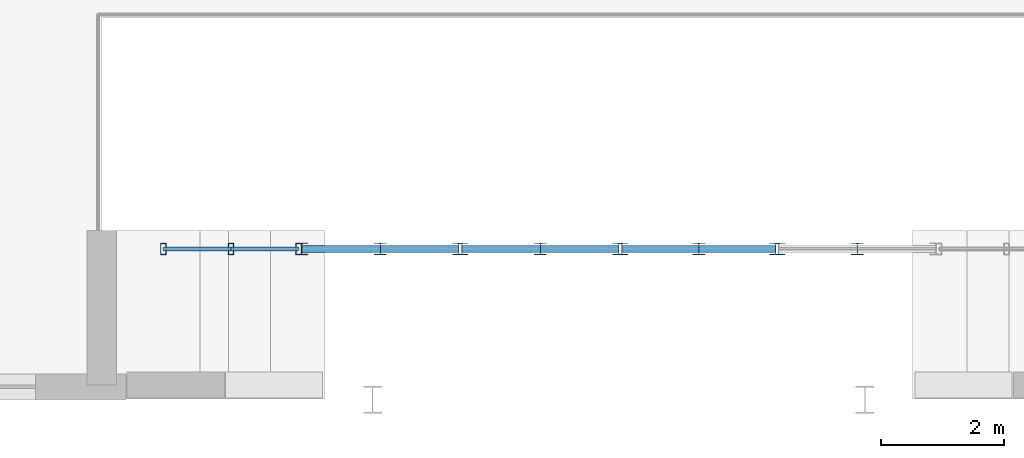
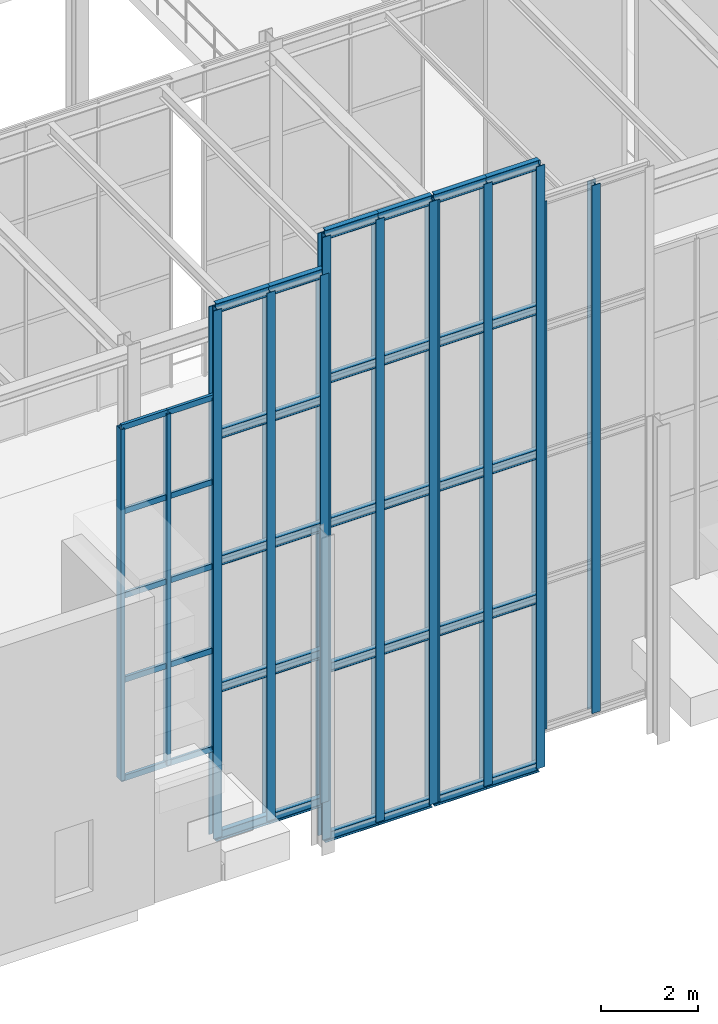
# One storey, part 65 of 138: 54 members, 5 elements without a shape of their own.
"""IFC4 building model written with IfcOpenShell, lengths in metres."""

import ifcopenshell
import ifcopenshell.guid

model = None  # the IFC model being written
_history = None  # IfcOwnerHistory: only IFC2X3 demands one
_inside = {}  # id of a spatial element -> (the spatial element, [elements in it])
_under = {}  # id of a project, library or spatial element -> (it, [spatial elements below it])
_declared = {}  # id of a project -> (the project, [libraries it declares])
_typed = {}  # id of a type object -> (the type object, [elements of that type])
_made_of = {}  # id of a material, layer set ... -> (it, [elements and type objects made of it])


def new_model(schema):
    """Start an empty IFC model of exactly this schema.

    Asked for "IFC4X3", IfcOpenShell would pick the latest addendum, in which some entities
    have other attributes; the version numbers below select the first issue.
    IFC2X3 requires an IfcOwnerHistory on every rooted entity: one is made here for all.
    """
    global model, _history
    if schema == "IFC4X3":
        model = ifcopenshell.file(schema_version=(4, 3, 0, 0))
    else:
        model = ifcopenshell.file(schema=schema)
    _inside.clear()
    _under.clear()
    _declared.clear()
    _typed.clear()
    _made_of.clear()
    _history = None
    if model.schema == "IFC2X3":
        org = make("IfcOrganization", Name="unknown")
        user = make(
            "IfcPersonAndOrganization",
            ThePerson=make("IfcPerson", FamilyName="unknown"),
            TheOrganization=org,
        )
        app = make(
            "IfcApplication",
            ApplicationDeveloper=org,
            Version="unknown",
            ApplicationFullName="unknown",
            ApplicationIdentifier="unknown",
        )
        _history = make(
            "IfcOwnerHistory",
            OwningUser=user,
            OwningApplication=app,
            ChangeAction="ADDED",
            CreationDate=0,
        )
    return model


def make(cls, **values):
    """One entity of the class cls with the attributes given. An attribute that is None is left unset."""
    return model.create_entity(
        cls, **{name: value for name, value in values.items() if value is not None}
    )


def rooted(cls, **values):
    """An entity with a GlobalId (a new one), such as an element, a storey or a relation."""
    return make(cls, GlobalId=ifcopenshell.guid.new(), OwnerHistory=_history, **values)


def si_unit(unit_type, name, prefix=None):
    """IfcSIUnit, for example si_unit("LENGTHUNIT", "METRE", prefix="MILLI")."""
    return make("IfcSIUnit", UnitType=unit_type, Prefix=prefix, Name=name)


def assignment(units):
    """IfcUnitAssignment: the units of a project."""
    return None if units is None else make("IfcUnitAssignment", Units=units)


def point(xyz):
    """IfcCartesianPoint."""
    return None if xyz is None else make("IfcCartesianPoint", Coordinates=xyz)


def direction(xyz):
    """IfcDirection."""
    return None if xyz is None else make("IfcDirection", DirectionRatios=xyz)


def frame(location, z_axis=None, x_axis=None):
    """IfcAxis2Placement3D, a coordinate frame: its origin and axes. An axis left out is left unset."""
    return make(
        "IfcAxis2Placement3D",
        Location=point(location),
        Axis=direction(z_axis),
        RefDirection=direction(x_axis),
    )


def frame_2d(location, x_axis=None):
    """IfcAxis2Placement2D, a coordinate frame in the plane: its origin and x axis."""
    return make(
        "IfcAxis2Placement2D", Location=point(location), RefDirection=direction(x_axis)
    )


def origin():
    """The frame at (0, 0, 0) with its axes left unset."""
    return frame((0.0, 0.0, 0.0))


def origin_2d():
    """The frame at (0, 0) in the plane with its x axis left unset."""
    return frame_2d((0.0, 0.0))


def place(relative_to, where):
    """IfcLocalPlacement: puts the frame where relative to a parent placement (None: the world)."""
    return make(
        "IfcLocalPlacement", PlacementRelTo=relative_to, RelativePlacement=where
    )


def context(
    kind, dimensions, precision=None, world=None, true_north=None, identifier=None
):
    """IfcGeometricRepresentationContext, for example the 3D "Model" context."""
    return make(
        "IfcGeometricRepresentationContext",
        ContextIdentifier=identifier,
        ContextType=kind,
        CoordinateSpaceDimension=dimensions,
        Precision=precision,
        WorldCoordinateSystem=world,
        TrueNorth=true_north,
    )


def subcontext(parent, identifier, kind, view, scale=None):
    """IfcGeometricRepresentationSubContext, for example "Body" below "Model"."""
    return make(
        "IfcGeometricRepresentationSubContext",
        ContextIdentifier=identifier,
        ContextType=kind,
        ParentContext=parent,
        TargetScale=scale,
        TargetView=view,
    )


def project(units=None, contexts=None):
    """IfcProject with its units and contexts."""
    return rooted(
        "IfcProject",
        Name="project",
        RepresentationContexts=contexts,
        UnitsInContext=assignment(units),
    )


def spatial(cls, under=None, at=None, **own):
    """A site, building, storey or space (cls), placed at a placement, below another one or the project."""
    s = rooted(cls, ObjectPlacement=at, **own)
    if under is not None:
        _under.setdefault(under.id(), (under, []))[1].append(s)
    return s


def profile(cls, at=None, kind="AREA", **sizes):
    """A parametric profile (cls). Its sizes go by their IFC names, for example OverallWidth=200.0."""
    return make(cls, ProfileType=kind, Position=at, **sizes)


def hollow_rectangle(**sizes):
    """IfcRectangleHollowProfileDef."""
    return profile("IfcRectangleHollowProfileDef", **sizes)


def i_section(**sizes):
    """IfcIShapeProfileDef."""
    return profile("IfcIShapeProfileDef", **sizes)


def extrude(swept, where, along, depth):
    """IfcExtrudedAreaSolid: the profile swept, set in the frame where, extruded along a direction by depth."""
    return make(
        "IfcExtrudedAreaSolid",
        SweptArea=swept,
        Position=where,
        ExtrudedDirection=direction(along),
        Depth=depth,
    )


def shape(context_of_items, identifier, shape_type, items):
    """IfcShapeRepresentation: the items that make up one representation, for example the "Body"."""
    return make(
        "IfcShapeRepresentation",
        ContextOfItems=context_of_items,
        RepresentationIdentifier=identifier,
        RepresentationType=shape_type,
        Items=items,
    )


def material(Name=None, Category=None):
    """IfcMaterial."""
    return make("IfcMaterial", Name=Name, Category=Category)


def material_profile(
    of_material, cross_section, Name=None, Category=None, Priority=None
):
    """IfcMaterialProfile: a cross section and its material."""
    return make(
        "IfcMaterialProfile",
        Name=Name,
        Material=of_material,
        Profile=cross_section,
        Priority=Priority,
        Category=Category,
    )


def profile_set(profiles, Name=None, composite=None):
    """IfcMaterialProfileSet."""
    return make(
        "IfcMaterialProfileSet",
        Name=Name,
        MaterialProfiles=profiles,
        CompositeProfile=composite,
    )


def made_of(thing, what):
    """Note that an element or type object is made of a material, layer set ...; save() writes the relation."""
    if what is not None:
        _made_of.setdefault(what.id(), (what, []))[1].append(thing)
    return thing


def type_object(cls, material=None, **own):
    """A type object (cls), such as IfcWallType, which elements share."""
    return made_of(rooted(cls, **own), material)


def element(
    cls,
    number,
    at=None,
    inside=None,
    cuts=None,
    type_object=None,
    material=None,
    context=None,
    identifier="Body",
    shape_type=None,
    held_by="IfcProductDefinitionShape",
    body=None,
    shapes=None,
    **own,
):
    """One element of the class cls, such as IfcWall. Its Tag is "e" and its number.

    at: its placement. inside: the storey or other place that contains it. cuts: it is an
    opening in that element (IfcRelVoidsElement). A single representation is given by context,
    identifier, shape_type and body (its items); several are given by shapes. held_by: the class
    of the entity that holds the representations. save() writes the other relations.
    """
    e = rooted(cls, Tag="e%d" % number, ObjectPlacement=at, **own)
    if body is not None:
        shapes = [shape(context, identifier, shape_type, body)]
    if shapes is not None:
        e.Representation = make(held_by, Representations=shapes)
    if inside is not None:
        _inside.setdefault(inside.id(), (inside, []))[1].append(e)
    if cuts is not None:
        rooted(
            "IfcRelVoidsElement", RelatingBuildingElement=cuts, RelatedOpeningElement=e
        )
    if type_object is not None:
        _typed.setdefault(type_object.id(), (type_object, []))[1].append(e)
    return made_of(e, material)


def aggregate(whole, parts):
    """IfcRelAggregates: a whole, such as a stair, and the parts it consists of."""
    return rooted("IfcRelAggregates", RelatingObject=whole, RelatedObjects=parts)


def save(model, path):
    """Write the relations noted so far, then the file.

    IfcRelAggregates (storeys below a building ...), IfcRelContainedInSpatialStructure (elements
    in a storey), IfcRelDefinesByType, IfcRelAssociatesMaterial and IfcRelDeclares: one each for
    every whole, place, type object, material and project.
    """
    for whole, parts in _under.values():
        aggregate(whole, parts)
    for where, things in _inside.values():
        rooted(
            "IfcRelContainedInSpatialStructure",
            RelatedElements=things,
            RelatingStructure=where,
        )
    for kind, things in _typed.values():
        rooted("IfcRelDefinesByType", RelatedObjects=things, RelatingType=kind)
    for what, things in _made_of.values():
        rooted("IfcRelAssociatesMaterial", RelatedObjects=things, RelatingMaterial=what)
    for by, libraries in _declared.values():
        rooted("IfcRelDeclares", RelatingContext=by, RelatedDefinitions=libraries)
    model.write(path)


model = new_model("IFC4")

# Units and contexts
model_context = context("Model", 3, precision=1e-05, world=origin(), true_north=direction((0.0, 1.0)))
body_context = subcontext(model_context, "Body", "Model", "MODEL_VIEW")
ifc_project = project(units=[si_unit("LENGTHUNIT", "METRE"), si_unit("AREAUNIT", "SQUARE_METRE"), si_unit("VOLUMEUNIT", "CUBIC_METRE"), si_unit("PLANEANGLEUNIT", "RADIAN"), si_unit("MASSUNIT", "GRAM", prefix="KILO")], contexts=[model_context])

# Site, building, storey
site_placement = place(None, origin())
site = spatial("IfcSite", under=ifc_project, at=site_placement, CompositionType="ELEMENT")
building_placement = place(site_placement, origin())
building = spatial("IfcBuilding", under=site, at=building_placement, Name="Sundkrona Museum", CompositionType="ELEMENT")
storey_placement = place(building_placement, frame((0.0, 0.0, 9.60009765625)))
storey = spatial("IfcBuildingStorey", under=building, at=storey_placement, Name="L02", CompositionType="ELEMENT", Elevation=9.60009765625)

# Curtain wall, members
ifc_material_1 = material(Name="Unitised Aluminium-Steel and Ceramic-Clad Curtain Walling", Category="steel")
curtain_wall_type_1 = type_object("IfcCurtainWallType", Name="CW-OC-96x34", PredefinedType="NOTDEFINED", material=ifc_material_1)
curtain_wall_1_placement = place(storey_placement, origin())
curtain_wall_1 = element("IfcCurtainWall", 1, at=curtain_wall_1_placement, inside=storey, type_object=curtain_wall_type_1, Name="South Avenue Giant Round Window Glazing Strip 01", PredefinedType="NOTDEFINED")
ifc_material_2 = material(Name="Aluminium EN AW-6060 T66", Category="aluminium")
ifc_material_profile_1 = material_profile(ifc_material_2, hollow_rectangle(XDim=0.090087890625, YDim=0.179931640625, WallThickness=0.00634765625, at=origin_2d()), Name="RHS 180x90x6.3")
ifc_profile_set_1 = profile_set([ifc_material_profile_1], Name="Aluminium EN AW-6060 T66")
member_type_1 = type_object("IfcMemberType", Name="ML-180", PredefinedType="MULLION", material=ifc_profile_set_1)
member_1_placement = place(storey_placement, frame((132.60009765625, 2.449951171875, 1.472900390625), z_axis=(0.0, 0.0, 1.0), x_axis=(1.0, 0.0, 0.0)))
member_1 = element("IfcMember", 2, at=member_1_placement, type_object=member_type_1, Name="CW-OC-RND-01 Mullion 01", PredefinedType="MULLION", context=body_context, shape_type="SweptSolid", body=[
    extrude(hollow_rectangle(XDim=0.090087890625, YDim=0.179931640625, WallThickness=0.00634765625, at=origin_2d()), origin(), (0.0, 0.0, 1.0), 8.85400390625),
])
member_2_placement = place(storey_placement, frame((133.699951171875, 2.449951171875, 1.472900390625), z_axis=(0.0, 0.0, 1.0), x_axis=(1.0, 0.0, 0.0)))
member_2 = element("IfcMember", 3, at=member_2_placement, type_object=member_type_1, Name="CW-OC-RND-01 Mullion 02", PredefinedType="MULLION", context=body_context, shape_type="SweptSolid", body=[
    extrude(hollow_rectangle(XDim=0.090087890625, YDim=0.179931640625, WallThickness=0.00634765625, at=origin_2d()), origin(), (0.0, 0.0, 1.0), 8.85400390625),
])
member_3_placement = place(storey_placement, frame((134.800048828125, 2.449951171875, 1.472900390625), z_axis=(0.0, 0.0, 1.0), x_axis=(1.0, 0.0, 0.0)))
member_3 = element("IfcMember", 4, at=member_3_placement, type_object=member_type_1, Name="CW-OC-RND-01 Mullion 03", PredefinedType="MULLION", context=body_context, shape_type="SweptSolid", body=[
    extrude(hollow_rectangle(XDim=0.090087890625, YDim=0.179931640625, WallThickness=0.00634765625, at=origin_2d()), origin(), (0.0, 0.0, 1.0), 8.85400390625),
])

curtain_wall_type_2 = type_object("IfcCurtainWallType", Name="CW-OC-74x72", PredefinedType="NOTDEFINED", material=ifc_material_1)
curtain_wall_2_placement = place(storey_placement, origin())
curtain_wall_2 = element("IfcCurtainWall", 5, at=curtain_wall_2_placement, inside=storey, type_object=curtain_wall_type_2, Name="South Avenue Giant Round Window Glazing Strip 02", PredefinedType="NOTDEFINED")
ifc_material_3 = material(Name="Steel S355J2", Category="steel")
ifc_material_profile_2 = material_profile(ifc_material_3, i_section(OverallWidth=0.199951171875, OverallDepth=0.199951171875, WebThickness=0.009033203125, FlangeThickness=0.014892578125, FilletRadius=0.01806640625, at=origin_2d()), Name="HEB 200")
ifc_profile_set_2 = profile_set([ifc_material_profile_2], Name="Steel S355J2")
member_type_2 = type_object("IfcMemberType", Name="ML-HEB200", PredefinedType="MULLION", material=ifc_profile_set_2)
member_4_placement = place(storey_placement, frame((134.85009765625, 2.449951171875, -0.754150390625), z_axis=(0.0, 0.0, 1.0), x_axis=(1.0, 0.0, 0.0)))
member_4 = element("IfcMember", 6, at=member_4_placement, type_object=member_type_2, Name="CW-OC-RND-02 Mullion 01", PredefinedType="MULLION", context=body_context, shape_type="SweptSolid", body=[
    extrude(i_section(OverallWidth=0.199951171875, OverallDepth=0.199951171875, WebThickness=0.009033203125, FlangeThickness=0.014892578125, FilletRadius=0.01806640625, at=origin_2d()), origin(), (0.0, 0.0, 1.0), 13.30810546875),
])
member_5_placement = place(storey_placement, frame((136.125, 2.449951171875, -0.754150390625), z_axis=(0.0, 0.0, 1.0), x_axis=(1.0, 0.0, 0.0)))
member_5 = element("IfcMember", 7, at=member_5_placement, type_object=member_type_2, Name="CW-OC-RND-02 Mullion 02", PredefinedType="MULLION", context=body_context, shape_type="SweptSolid", body=[
    extrude(i_section(OverallWidth=0.199951171875, OverallDepth=0.199951171875, WebThickness=0.009033203125, FlangeThickness=0.014892578125, FilletRadius=0.01806640625, at=origin_2d()), origin(), (0.0, 0.0, 1.0), 13.30810546875),
])
member_6_placement = place(storey_placement, frame((137.39990234375, 2.449951171875, -0.754150390625), z_axis=(0.0, 0.0, 1.0), x_axis=(1.0, 0.0, 0.0)))
member_6 = element("IfcMember", 8, at=member_6_placement, type_object=member_type_2, Name="CW-OC-RND-02 Mullion 03", PredefinedType="MULLION", context=body_context, shape_type="SweptSolid", body=[
    extrude(i_section(OverallWidth=0.199951171875, OverallDepth=0.199951171875, WebThickness=0.009033203125, FlangeThickness=0.014892578125, FilletRadius=0.01806640625, at=origin_2d()), origin(), (0.0, 0.0, 1.0), 13.30810546875),
])

curtain_wall_3_placement = place(storey_placement, origin())
curtain_wall_3 = element("IfcCurtainWall", 9, at=curtain_wall_3_placement, inside=storey, type_object=curtain_wall_type_2, Name="South Avenue Giant Round Window Glazing Strip 03", PredefinedType="NOTDEFINED")
member_7_placement = place(storey_placement, frame((137.449951171875, 2.449951171875, -1.694091796875), z_axis=(0.0, 0.0, 1.0), x_axis=(1.0, 0.0, 0.0)))
member_7 = element("IfcMember", 10, at=member_7_placement, type_object=member_type_2, Name="CW-OC-RND-03 Mullion 01", PredefinedType="MULLION", context=body_context, shape_type="SweptSolid", body=[
    extrude(i_section(OverallWidth=0.199951171875, OverallDepth=0.199951171875, WebThickness=0.009033203125, FlangeThickness=0.014892578125, FilletRadius=0.01806640625, at=origin_2d()), origin(), (0.0, 0.0, 1.0), 15.18798828125),
])
member_8_placement = place(storey_placement, frame((138.72509765625, 2.449951171875, -1.694091796875), z_axis=(0.0, 0.0, 1.0), x_axis=(1.0, 0.0, 0.0)))
member_8 = element("IfcMember", 11, at=member_8_placement, type_object=member_type_2, Name="CW-OC-RND-03 Mullion 02", PredefinedType="MULLION", context=body_context, shape_type="SweptSolid", body=[
    extrude(i_section(OverallWidth=0.199951171875, OverallDepth=0.199951171875, WebThickness=0.009033203125, FlangeThickness=0.014892578125, FilletRadius=0.01806640625, at=origin_2d()), origin(), (0.0, 0.0, 1.0), 15.18798828125),
])
member_9_placement = place(storey_placement, frame((140.0, 2.449951171875, -1.694091796875), z_axis=(0.0, 0.0, 1.0), x_axis=(1.0, 0.0, 0.0)))
member_9 = element("IfcMember", 12, at=member_9_placement, type_object=member_type_2, Name="CW-OC-RND-03 Mullion 03", PredefinedType="MULLION", context=body_context, shape_type="SweptSolid", body=[
    extrude(i_section(OverallWidth=0.199951171875, OverallDepth=0.199951171875, WebThickness=0.009033203125, FlangeThickness=0.014892578125, FilletRadius=0.01806640625, at=origin_2d()), origin(), (0.0, 0.0, 1.0), 15.18798828125),
])

curtain_wall_4_placement = place(storey_placement, origin())
curtain_wall_4 = element("IfcCurtainWall", 13, at=curtain_wall_4_placement, inside=storey, type_object=curtain_wall_type_2, Name="South Avenue Giant Round Window Glazing Strip 04", PredefinedType="NOTDEFINED")
member_10_placement = place(storey_placement, frame((140.050048828125, 2.449951171875, -1.689208984375), z_axis=(0.0, 0.0, 1.0), x_axis=(1.0, 0.0, 0.0)))
member_10 = element("IfcMember", 14, at=member_10_placement, type_object=member_type_2, Name="CW-OC-RND-04 Mullion 01", PredefinedType="MULLION", context=body_context, shape_type="SweptSolid", body=[
    extrude(i_section(OverallWidth=0.199951171875, OverallDepth=0.199951171875, WebThickness=0.009033203125, FlangeThickness=0.014892578125, FilletRadius=0.01806640625, at=origin_2d()), origin(), (0.0, 0.0, 1.0), 15.17822265625),
])
member_11_placement = place(storey_placement, frame((141.300048828125, 2.449951171875, -1.689208984375), z_axis=(0.0, 0.0, 1.0), x_axis=(1.0, 0.0, 0.0)))
member_11 = element("IfcMember", 15, at=member_11_placement, type_object=member_type_2, Name="CW-OC-RND-04 Mullion 02", PredefinedType="MULLION", context=body_context, shape_type="SweptSolid", body=[
    extrude(i_section(OverallWidth=0.199951171875, OverallDepth=0.199951171875, WebThickness=0.009033203125, FlangeThickness=0.014892578125, FilletRadius=0.01806640625, at=origin_2d()), origin(), (0.0, 0.0, 1.0), 15.17822265625),
])
member_12_placement = place(storey_placement, frame((142.550048828125, 2.449951171875, -1.689208984375), z_axis=(0.0, 0.0, 1.0), x_axis=(1.0, 0.0, 0.0)))
member_12 = element("IfcMember", 16, at=member_12_placement, type_object=member_type_2, Name="CW-OC-RND-04 Mullion 03", PredefinedType="MULLION", context=body_context, shape_type="SweptSolid", body=[
    extrude(i_section(OverallWidth=0.199951171875, OverallDepth=0.199951171875, WebThickness=0.009033203125, FlangeThickness=0.014892578125, FilletRadius=0.01806640625, at=origin_2d()), origin(), (0.0, 0.0, 1.0), 15.17822265625),
])

curtain_wall_5_placement = place(storey_placement, origin())
curtain_wall_5 = element("IfcCurtainWall", 17, at=curtain_wall_5_placement, inside=storey, type_object=curtain_wall_type_2, Name="South Avenue Giant Round Window Glazing Strip 05", PredefinedType="NOTDEFINED")
member_13_placement = place(storey_placement, frame((142.60009765625, 2.449951171875, -0.754150390625), z_axis=(0.0, 0.0, 1.0), x_axis=(1.0, 0.0, 0.0)))
member_13 = element("IfcMember", 18, at=member_13_placement, type_object=member_type_2, Name="CW-OC-RND-05 Mullion 01", PredefinedType="MULLION", context=body_context, shape_type="SweptSolid", body=[
    extrude(i_section(OverallWidth=0.199951171875, OverallDepth=0.199951171875, WebThickness=0.009033203125, FlangeThickness=0.014892578125, FilletRadius=0.01806640625, at=origin_2d()), origin(), (0.0, 0.0, 1.0), 13.30810546875),
])
member_14_placement = place(storey_placement, frame((143.875, 2.449951171875, -0.754150390625), z_axis=(0.0, 0.0, 1.0), x_axis=(1.0, 0.0, 0.0)))
member_14 = element("IfcMember", 19, at=member_14_placement, type_object=member_type_2, Name="CW-OC-RND-05 Mullion 02", PredefinedType="MULLION", context=body_context, shape_type="SweptSolid", body=[
    extrude(i_section(OverallWidth=0.199951171875, OverallDepth=0.199951171875, WebThickness=0.009033203125, FlangeThickness=0.014892578125, FilletRadius=0.01806640625, at=origin_2d()), origin(), (0.0, 0.0, 1.0), 13.30810546875),
])
aggregate(curtain_wall_5, [member_13, member_14])

# Member
ifc_material_profile_3 = material_profile(ifc_material_2, hollow_rectangle(XDim=0.070068359375, YDim=0.139892578125, WallThickness=0.0048828125, at=origin_2d()), Name="RHS 140x70x5.0")
ifc_profile_set_3 = profile_set([ifc_material_profile_3], Name="Aluminium EN AW-6060 T66")
member_type_3 = type_object("IfcMemberType", Name="TR-140", PredefinedType="USERDEFINED", material=ifc_profile_set_3)
member_15_placement = place(storey_placement, frame((132.60009765625, 2.449951171875, 1.472900390625), z_axis=(1.0, 0.0, 0.0), x_axis=(0.0, 1.0, 0.0)))
member_15 = element("IfcMember", 20, at=member_15_placement, type_object=member_type_3, Name="CW-OC-RND-01 Transom 01", ObjectType="TRANSOM", PredefinedType="USERDEFINED", context=body_context, shape_type="SweptSolid", body=[
    extrude(hollow_rectangle(XDim=0.070068359375, YDim=0.139892578125, WallThickness=0.0048828125, at=origin_2d()), origin(), (0.0, 0.0, 1.0), 1.099853515625),
])

member_16_placement = place(storey_placement, frame((132.60009765625, 2.449951171875, 3.951904296875), z_axis=(1.0, 0.0, 0.0), x_axis=(0.0, 1.0, 0.0)))
member_16 = element("IfcMember", 21, at=member_16_placement, type_object=member_type_3, Name="CW-OC-RND-01 Transom 02", ObjectType="TRANSOM", PredefinedType="USERDEFINED", context=body_context, shape_type="SweptSolid", body=[
    extrude(hollow_rectangle(XDim=0.070068359375, YDim=0.139892578125, WallThickness=0.0048828125, at=origin_2d()), origin(), (0.0, 0.0, 1.0), 1.099853515625),
])

member_17_placement = place(storey_placement, frame((132.60009765625, 2.449951171875, 6.076904296875), z_axis=(1.0, 0.0, 0.0), x_axis=(0.0, 1.0, 0.0)))
member_17 = element("IfcMember", 22, at=member_17_placement, type_object=member_type_3, Name="CW-OC-RND-01 Transom 03", ObjectType="TRANSOM", PredefinedType="USERDEFINED", context=body_context, shape_type="SweptSolid", body=[
    extrude(hollow_rectangle(XDim=0.070068359375, YDim=0.139892578125, WallThickness=0.0048828125, at=origin_2d()), origin(), (0.0, 0.0, 1.0), 1.099853515625),
])

member_18_placement = place(storey_placement, frame((132.60009765625, 2.449951171875, 8.201904296875), z_axis=(1.0, 0.0, 0.0), x_axis=(0.0, 1.0, 0.0)))
member_18 = element("IfcMember", 23, at=member_18_placement, type_object=member_type_3, Name="CW-OC-RND-01 Transom 04", ObjectType="TRANSOM", PredefinedType="USERDEFINED", context=body_context, shape_type="SweptSolid", body=[
    extrude(hollow_rectangle(XDim=0.070068359375, YDim=0.139892578125, WallThickness=0.0048828125, at=origin_2d()), origin(), (0.0, 0.0, 1.0), 1.099853515625),
])

member_19_placement = place(storey_placement, frame((132.60009765625, 2.449951171875, 10.326904296875), z_axis=(1.0, 0.0, 0.0), x_axis=(0.0, 1.0, 0.0)))
member_19 = element("IfcMember", 24, at=member_19_placement, type_object=member_type_3, Name="CW-OC-RND-01 Transom 05", ObjectType="TRANSOM", PredefinedType="USERDEFINED", context=body_context, shape_type="SweptSolid", body=[
    extrude(hollow_rectangle(XDim=0.070068359375, YDim=0.139892578125, WallThickness=0.0048828125, at=origin_2d()), origin(), (0.0, 0.0, 1.0), 1.099853515625),
])

member_20_placement = place(storey_placement, frame((133.699951171875, 2.449951171875, 1.472900390625), z_axis=(1.0, 0.0, 0.0), x_axis=(0.0, 1.0, 0.0)))
member_20 = element("IfcMember", 25, at=member_20_placement, type_object=member_type_3, Name="CW-OC-RND-01 Transom 06", ObjectType="TRANSOM", PredefinedType="USERDEFINED", context=body_context, shape_type="SweptSolid", body=[
    extrude(hollow_rectangle(XDim=0.070068359375, YDim=0.139892578125, WallThickness=0.0048828125, at=origin_2d()), origin(), (0.0, 0.0, 1.0), 1.10009765625),
])

member_21_placement = place(storey_placement, frame((133.699951171875, 2.449951171875, 3.951904296875), z_axis=(1.0, 0.0, 0.0), x_axis=(0.0, 1.0, 0.0)))
member_21 = element("IfcMember", 26, at=member_21_placement, type_object=member_type_3, Name="CW-OC-RND-01 Transom 07", ObjectType="TRANSOM", PredefinedType="USERDEFINED", context=body_context, shape_type="SweptSolid", body=[
    extrude(hollow_rectangle(XDim=0.070068359375, YDim=0.139892578125, WallThickness=0.0048828125, at=origin_2d()), origin(), (0.0, 0.0, 1.0), 1.10009765625),
])

member_22_placement = place(storey_placement, frame((133.699951171875, 2.449951171875, 6.076904296875), z_axis=(1.0, 0.0, 0.0), x_axis=(0.0, 1.0, 0.0)))
member_22 = element("IfcMember", 27, at=member_22_placement, type_object=member_type_3, Name="CW-OC-RND-01 Transom 08", ObjectType="TRANSOM", PredefinedType="USERDEFINED", context=body_context, shape_type="SweptSolid", body=[
    extrude(hollow_rectangle(XDim=0.070068359375, YDim=0.139892578125, WallThickness=0.0048828125, at=origin_2d()), origin(), (0.0, 0.0, 1.0), 1.10009765625),
])

member_23_placement = place(storey_placement, frame((133.699951171875, 2.449951171875, 8.201904296875), z_axis=(1.0, 0.0, 0.0), x_axis=(0.0, 1.0, 0.0)))
member_23 = element("IfcMember", 28, at=member_23_placement, type_object=member_type_3, Name="CW-OC-RND-01 Transom 09", ObjectType="TRANSOM", PredefinedType="USERDEFINED", context=body_context, shape_type="SweptSolid", body=[
    extrude(hollow_rectangle(XDim=0.070068359375, YDim=0.139892578125, WallThickness=0.0048828125, at=origin_2d()), origin(), (0.0, 0.0, 1.0), 1.10009765625),
])

member_24_placement = place(storey_placement, frame((133.699951171875, 2.449951171875, 10.326904296875), z_axis=(1.0, 0.0, 0.0), x_axis=(0.0, 1.0, 0.0)))
member_24 = element("IfcMember", 29, at=member_24_placement, type_object=member_type_3, Name="CW-OC-RND-01 Transom 10", ObjectType="TRANSOM", PredefinedType="USERDEFINED", context=body_context, shape_type="SweptSolid", body=[
    extrude(hollow_rectangle(XDim=0.070068359375, YDim=0.139892578125, WallThickness=0.0048828125, at=origin_2d()), origin(), (0.0, 0.0, 1.0), 1.10009765625),
])

aggregate(curtain_wall_1, [member_1, member_2, member_3, member_15, member_16, member_17, member_18, member_19, member_20, member_21, member_22, member_23, member_24])

ifc_material_profile_4 = material_profile(ifc_material_3, i_section(OverallWidth=0.1201171875, OverallDepth=0.239990234375, WebThickness=0.006103515625, FlangeThickness=0.009765625, FilletRadius=0.014892578125, at=origin_2d()), Name="IPE 240")
ifc_profile_set_4 = profile_set([ifc_material_profile_4], Name="Steel S355J2")
member_type_4 = type_object("IfcMemberType", Name="TR-IPE220", PredefinedType="USERDEFINED", material=ifc_profile_set_4)
member_25_placement = place(storey_placement, frame((134.85009765625, 2.449951171875, -0.754150390625), z_axis=(1.0, 0.0, 0.0), x_axis=(0.0, 1.0, 0.0)))
member_25 = element("IfcMember", 30, at=member_25_placement, type_object=member_type_4, Name="CW-OC-RND-02 Transom 01", ObjectType="TRANSOM", PredefinedType="USERDEFINED", context=body_context, shape_type="SweptSolid", body=[
    extrude(i_section(OverallWidth=0.1201171875, OverallDepth=0.239990234375, WebThickness=0.006103515625, FlangeThickness=0.009765625, FilletRadius=0.014892578125, at=origin_2d()), origin(), (0.0, 0.0, 1.0), 1.27490234375),
])

member_26_placement = place(storey_placement, frame((134.85009765625, 2.449951171875, 2.971923828125), z_axis=(1.0, 0.0, 0.0), x_axis=(0.0, 1.0, 0.0)))
member_26 = element("IfcMember", 31, at=member_26_placement, type_object=member_type_4, Name="CW-OC-RND-02 Transom 02", ObjectType="TRANSOM", PredefinedType="USERDEFINED", context=body_context, shape_type="SweptSolid", body=[
    extrude(i_section(OverallWidth=0.1201171875, OverallDepth=0.239990234375, WebThickness=0.006103515625, FlangeThickness=0.009765625, FilletRadius=0.014892578125, at=origin_2d()), origin(), (0.0, 0.0, 1.0), 1.27490234375),
])

member_27_placement = place(storey_placement, frame((134.85009765625, 2.449951171875, 6.166015625), z_axis=(1.0, 0.0, 0.0), x_axis=(0.0, 1.0, 0.0)))
member_27 = element("IfcMember", 32, at=member_27_placement, type_object=member_type_4, Name="CW-OC-RND-02 Transom 03", ObjectType="TRANSOM", PredefinedType="USERDEFINED", context=body_context, shape_type="SweptSolid", body=[
    extrude(i_section(OverallWidth=0.1201171875, OverallDepth=0.239990234375, WebThickness=0.006103515625, FlangeThickness=0.009765625, FilletRadius=0.014892578125, at=origin_2d()), origin(), (0.0, 0.0, 1.0), 1.27490234375),
])

member_28_placement = place(storey_placement, frame((134.85009765625, 2.449951171875, 9.35986328125), z_axis=(1.0, 0.0, 0.0), x_axis=(0.0, 1.0, 0.0)))
member_28 = element("IfcMember", 33, at=member_28_placement, type_object=member_type_4, Name="CW-OC-RND-02 Transom 04", ObjectType="TRANSOM", PredefinedType="USERDEFINED", context=body_context, shape_type="SweptSolid", body=[
    extrude(i_section(OverallWidth=0.1201171875, OverallDepth=0.239990234375, WebThickness=0.006103515625, FlangeThickness=0.009765625, FilletRadius=0.014892578125, at=origin_2d()), origin(), (0.0, 0.0, 1.0), 1.27490234375),
])

member_29_placement = place(storey_placement, frame((134.85009765625, 2.449951171875, 12.553955078125), z_axis=(1.0, 0.0, 0.0), x_axis=(0.0, 1.0, 0.0)))
member_29 = element("IfcMember", 34, at=member_29_placement, type_object=member_type_4, Name="CW-OC-RND-02 Transom 05", ObjectType="TRANSOM", PredefinedType="USERDEFINED", context=body_context, shape_type="SweptSolid", body=[
    extrude(i_section(OverallWidth=0.1201171875, OverallDepth=0.239990234375, WebThickness=0.006103515625, FlangeThickness=0.009765625, FilletRadius=0.014892578125, at=origin_2d()), origin(), (0.0, 0.0, 1.0), 1.27490234375),
])

member_30_placement = place(storey_placement, frame((136.125, 2.449951171875, -0.754150390625), z_axis=(1.0, 0.0, 0.0), x_axis=(0.0, 1.0, 0.0)))
member_30 = element("IfcMember", 35, at=member_30_placement, type_object=member_type_4, Name="CW-OC-RND-02 Transom 06", ObjectType="TRANSOM", PredefinedType="USERDEFINED", context=body_context, shape_type="SweptSolid", body=[
    extrude(i_section(OverallWidth=0.1201171875, OverallDepth=0.239990234375, WebThickness=0.006103515625, FlangeThickness=0.009765625, FilletRadius=0.014892578125, at=origin_2d()), origin(), (0.0, 0.0, 1.0), 1.27490234375),
])

member_31_placement = place(storey_placement, frame((136.125, 2.449951171875, 2.971923828125), z_axis=(1.0, 0.0, 0.0), x_axis=(0.0, 1.0, 0.0)))
member_31 = element("IfcMember", 36, at=member_31_placement, type_object=member_type_4, Name="CW-OC-RND-02 Transom 07", ObjectType="TRANSOM", PredefinedType="USERDEFINED", context=body_context, shape_type="SweptSolid", body=[
    extrude(i_section(OverallWidth=0.1201171875, OverallDepth=0.239990234375, WebThickness=0.006103515625, FlangeThickness=0.009765625, FilletRadius=0.014892578125, at=origin_2d()), origin(), (0.0, 0.0, 1.0), 1.27490234375),
])

member_32_placement = place(storey_placement, frame((136.125, 2.449951171875, 6.166015625), z_axis=(1.0, 0.0, 0.0), x_axis=(0.0, 1.0, 0.0)))
member_32 = element("IfcMember", 37, at=member_32_placement, type_object=member_type_4, Name="CW-OC-RND-02 Transom 08", ObjectType="TRANSOM", PredefinedType="USERDEFINED", context=body_context, shape_type="SweptSolid", body=[
    extrude(i_section(OverallWidth=0.1201171875, OverallDepth=0.239990234375, WebThickness=0.006103515625, FlangeThickness=0.009765625, FilletRadius=0.014892578125, at=origin_2d()), origin(), (0.0, 0.0, 1.0), 1.27490234375),
])

member_33_placement = place(storey_placement, frame((136.125, 2.449951171875, 9.35986328125), z_axis=(1.0, 0.0, 0.0), x_axis=(0.0, 1.0, 0.0)))
member_33 = element("IfcMember", 38, at=member_33_placement, type_object=member_type_4, Name="CW-OC-RND-02 Transom 09", ObjectType="TRANSOM", PredefinedType="USERDEFINED", context=body_context, shape_type="SweptSolid", body=[
    extrude(i_section(OverallWidth=0.1201171875, OverallDepth=0.239990234375, WebThickness=0.006103515625, FlangeThickness=0.009765625, FilletRadius=0.014892578125, at=origin_2d()), origin(), (0.0, 0.0, 1.0), 1.27490234375),
])

member_34_placement = place(storey_placement, frame((136.125, 2.449951171875, 12.553955078125), z_axis=(1.0, 0.0, 0.0), x_axis=(0.0, 1.0, 0.0)))
member_34 = element("IfcMember", 39, at=member_34_placement, type_object=member_type_4, Name="CW-OC-RND-02 Transom 10", ObjectType="TRANSOM", PredefinedType="USERDEFINED", context=body_context, shape_type="SweptSolid", body=[
    extrude(i_section(OverallWidth=0.1201171875, OverallDepth=0.239990234375, WebThickness=0.006103515625, FlangeThickness=0.009765625, FilletRadius=0.014892578125, at=origin_2d()), origin(), (0.0, 0.0, 1.0), 1.27490234375),
])

aggregate(curtain_wall_2, [member_4, member_5, member_6, member_25, member_26, member_27, member_28, member_29, member_30, member_31, member_32, member_33, member_34])

member_35_placement = place(storey_placement, frame((137.449951171875, 2.449951171875, -1.694091796875), z_axis=(1.0, 0.0, 0.0), x_axis=(0.0, 1.0, 0.0)))
member_35 = element("IfcMember", 40, at=member_35_placement, type_object=member_type_4, Name="CW-OC-RND-03 Transom 01", ObjectType="TRANSOM", PredefinedType="USERDEFINED", context=body_context, shape_type="SweptSolid", body=[
    extrude(i_section(OverallWidth=0.1201171875, OverallDepth=0.239990234375, WebThickness=0.006103515625, FlangeThickness=0.009765625, FilletRadius=0.014892578125, at=origin_2d()), origin(), (0.0, 0.0, 1.0), 1.275146484375),
])

member_36_placement = place(storey_placement, frame((137.449951171875, 2.449951171875, 2.558837890625), z_axis=(1.0, 0.0, 0.0), x_axis=(0.0, 1.0, 0.0)))
member_36 = element("IfcMember", 41, at=member_36_placement, type_object=member_type_4, Name="CW-OC-RND-03 Transom 02", ObjectType="TRANSOM", PredefinedType="USERDEFINED", context=body_context, shape_type="SweptSolid", body=[
    extrude(i_section(OverallWidth=0.1201171875, OverallDepth=0.239990234375, WebThickness=0.006103515625, FlangeThickness=0.009765625, FilletRadius=0.014892578125, at=origin_2d()), origin(), (0.0, 0.0, 1.0), 1.275146484375),
])

member_37_placement = place(storey_placement, frame((137.449951171875, 2.449951171875, 6.203857421875), z_axis=(1.0, 0.0, 0.0), x_axis=(0.0, 1.0, 0.0)))
member_37 = element("IfcMember", 42, at=member_37_placement, type_object=member_type_4, Name="CW-OC-RND-03 Transom 03", ObjectType="TRANSOM", PredefinedType="USERDEFINED", context=body_context, shape_type="SweptSolid", body=[
    extrude(i_section(OverallWidth=0.1201171875, OverallDepth=0.239990234375, WebThickness=0.006103515625, FlangeThickness=0.009765625, FilletRadius=0.014892578125, at=origin_2d()), origin(), (0.0, 0.0, 1.0), 1.275146484375),
])

member_38_placement = place(storey_placement, frame((137.449951171875, 2.449951171875, 9.848876953125), z_axis=(1.0, 0.0, 0.0), x_axis=(0.0, 1.0, 0.0)))
member_38 = element("IfcMember", 43, at=member_38_placement, type_object=member_type_4, Name="CW-OC-RND-03 Transom 04", ObjectType="TRANSOM", PredefinedType="USERDEFINED", context=body_context, shape_type="SweptSolid", body=[
    extrude(i_section(OverallWidth=0.1201171875, OverallDepth=0.239990234375, WebThickness=0.006103515625, FlangeThickness=0.009765625, FilletRadius=0.014892578125, at=origin_2d()), origin(), (0.0, 0.0, 1.0), 1.275146484375),
])

member_39_placement = place(storey_placement, frame((137.449951171875, 2.449951171875, 13.493896484375), z_axis=(1.0, 0.0, 0.0), x_axis=(0.0, 1.0, 0.0)))
member_39 = element("IfcMember", 44, at=member_39_placement, type_object=member_type_4, Name="CW-OC-RND-03 Transom 05", ObjectType="TRANSOM", PredefinedType="USERDEFINED", context=body_context, shape_type="SweptSolid", body=[
    extrude(i_section(OverallWidth=0.1201171875, OverallDepth=0.239990234375, WebThickness=0.006103515625, FlangeThickness=0.009765625, FilletRadius=0.014892578125, at=origin_2d()), origin(), (0.0, 0.0, 1.0), 1.275146484375),
])

member_40_placement = place(storey_placement, frame((138.72509765625, 2.449951171875, -1.694091796875), z_axis=(1.0, 0.0, 0.0), x_axis=(0.0, 1.0, 0.0)))
member_40 = element("IfcMember", 45, at=member_40_placement, type_object=member_type_4, Name="CW-OC-RND-03 Transom 06", ObjectType="TRANSOM", PredefinedType="USERDEFINED", context=body_context, shape_type="SweptSolid", body=[
    extrude(i_section(OverallWidth=0.1201171875, OverallDepth=0.239990234375, WebThickness=0.006103515625, FlangeThickness=0.009765625, FilletRadius=0.014892578125, at=origin_2d()), origin(), (0.0, 0.0, 1.0), 1.27490234375),
])

member_41_placement = place(storey_placement, frame((138.72509765625, 2.449951171875, 2.558837890625), z_axis=(1.0, 0.0, 0.0), x_axis=(0.0, 1.0, 0.0)))
member_41 = element("IfcMember", 46, at=member_41_placement, type_object=member_type_4, Name="CW-OC-RND-03 Transom 07", ObjectType="TRANSOM", PredefinedType="USERDEFINED", context=body_context, shape_type="SweptSolid", body=[
    extrude(i_section(OverallWidth=0.1201171875, OverallDepth=0.239990234375, WebThickness=0.006103515625, FlangeThickness=0.009765625, FilletRadius=0.014892578125, at=origin_2d()), origin(), (0.0, 0.0, 1.0), 1.27490234375),
])

member_42_placement = place(storey_placement, frame((138.72509765625, 2.449951171875, 6.203857421875), z_axis=(1.0, 0.0, 0.0), x_axis=(0.0, 1.0, 0.0)))
member_42 = element("IfcMember", 47, at=member_42_placement, type_object=member_type_4, Name="CW-OC-RND-03 Transom 08", ObjectType="TRANSOM", PredefinedType="USERDEFINED", context=body_context, shape_type="SweptSolid", body=[
    extrude(i_section(OverallWidth=0.1201171875, OverallDepth=0.239990234375, WebThickness=0.006103515625, FlangeThickness=0.009765625, FilletRadius=0.014892578125, at=origin_2d()), origin(), (0.0, 0.0, 1.0), 1.27490234375),
])

member_43_placement = place(storey_placement, frame((138.72509765625, 2.449951171875, 9.848876953125), z_axis=(1.0, 0.0, 0.0), x_axis=(0.0, 1.0, 0.0)))
member_43 = element("IfcMember", 48, at=member_43_placement, type_object=member_type_4, Name="CW-OC-RND-03 Transom 09", ObjectType="TRANSOM", PredefinedType="USERDEFINED", context=body_context, shape_type="SweptSolid", body=[
    extrude(i_section(OverallWidth=0.1201171875, OverallDepth=0.239990234375, WebThickness=0.006103515625, FlangeThickness=0.009765625, FilletRadius=0.014892578125, at=origin_2d()), origin(), (0.0, 0.0, 1.0), 1.27490234375),
])

member_44_placement = place(storey_placement, frame((138.72509765625, 2.449951171875, 13.493896484375), z_axis=(1.0, 0.0, 0.0), x_axis=(0.0, 1.0, 0.0)))
member_44 = element("IfcMember", 49, at=member_44_placement, type_object=member_type_4, Name="CW-OC-RND-03 Transom 10", ObjectType="TRANSOM", PredefinedType="USERDEFINED", context=body_context, shape_type="SweptSolid", body=[
    extrude(i_section(OverallWidth=0.1201171875, OverallDepth=0.239990234375, WebThickness=0.006103515625, FlangeThickness=0.009765625, FilletRadius=0.014892578125, at=origin_2d()), origin(), (0.0, 0.0, 1.0), 1.27490234375),
])

aggregate(curtain_wall_3, [member_7, member_8, member_9, member_35, member_36, member_37, member_38, member_39, member_40, member_41, member_42, member_43, member_44])

member_45_placement = place(storey_placement, frame((140.050048828125, 2.449951171875, -1.689208984375), z_axis=(1.0, 0.0, 0.0), x_axis=(0.0, 1.0, 0.0)))
member_45 = element("IfcMember", 50, at=member_45_placement, type_object=member_type_4, Name="CW-OC-RND-04 Transom 01", ObjectType="TRANSOM", PredefinedType="USERDEFINED", context=body_context, shape_type="SweptSolid", body=[
    extrude(i_section(OverallWidth=0.1201171875, OverallDepth=0.239990234375, WebThickness=0.006103515625, FlangeThickness=0.009765625, FilletRadius=0.014892578125, at=origin_2d()), origin(), (0.0, 0.0, 1.0), 1.25),
])

member_46_placement = place(storey_placement, frame((140.050048828125, 2.449951171875, 2.560791015625), z_axis=(1.0, 0.0, 0.0), x_axis=(0.0, 1.0, 0.0)))
member_46 = element("IfcMember", 51, at=member_46_placement, type_object=member_type_4, Name="CW-OC-RND-04 Transom 02", ObjectType="TRANSOM", PredefinedType="USERDEFINED", context=body_context, shape_type="SweptSolid", body=[
    extrude(i_section(OverallWidth=0.1201171875, OverallDepth=0.239990234375, WebThickness=0.006103515625, FlangeThickness=0.009765625, FilletRadius=0.014892578125, at=origin_2d()), origin(), (0.0, 0.0, 1.0), 1.25),
])

member_47_placement = place(storey_placement, frame((140.050048828125, 2.449951171875, 6.203857421875), z_axis=(1.0, 0.0, 0.0), x_axis=(0.0, 1.0, 0.0)))
member_47 = element("IfcMember", 52, at=member_47_placement, type_object=member_type_4, Name="CW-OC-RND-04 Transom 03", ObjectType="TRANSOM", PredefinedType="USERDEFINED", context=body_context, shape_type="SweptSolid", body=[
    extrude(i_section(OverallWidth=0.1201171875, OverallDepth=0.239990234375, WebThickness=0.006103515625, FlangeThickness=0.009765625, FilletRadius=0.014892578125, at=origin_2d()), origin(), (0.0, 0.0, 1.0), 1.25),
])

member_48_placement = place(storey_placement, frame((140.050048828125, 2.449951171875, 9.845947265625), z_axis=(1.0, 0.0, 0.0), x_axis=(0.0, 1.0, 0.0)))
member_48 = element("IfcMember", 53, at=member_48_placement, type_object=member_type_4, Name="CW-OC-RND-04 Transom 04", ObjectType="TRANSOM", PredefinedType="USERDEFINED", context=body_context, shape_type="SweptSolid", body=[
    extrude(i_section(OverallWidth=0.1201171875, OverallDepth=0.239990234375, WebThickness=0.006103515625, FlangeThickness=0.009765625, FilletRadius=0.014892578125, at=origin_2d()), origin(), (0.0, 0.0, 1.0), 1.25),
])

member_49_placement = place(storey_placement, frame((140.050048828125, 2.449951171875, 13.489013671875), z_axis=(1.0, 0.0, 0.0), x_axis=(0.0, 1.0, 0.0)))
member_49 = element("IfcMember", 54, at=member_49_placement, type_object=member_type_4, Name="CW-OC-RND-04 Transom 05", ObjectType="TRANSOM", PredefinedType="USERDEFINED", context=body_context, shape_type="SweptSolid", body=[
    extrude(i_section(OverallWidth=0.1201171875, OverallDepth=0.239990234375, WebThickness=0.006103515625, FlangeThickness=0.009765625, FilletRadius=0.014892578125, at=origin_2d()), origin(), (0.0, 0.0, 1.0), 1.25),
])

member_50_placement = place(storey_placement, frame((141.300048828125, 2.449951171875, -1.689208984375), z_axis=(1.0, 0.0, 0.0), x_axis=(0.0, 1.0, 0.0)))
member_50 = element("IfcMember", 55, at=member_50_placement, type_object=member_type_4, Name="CW-OC-RND-04 Transom 06", ObjectType="TRANSOM", PredefinedType="USERDEFINED", context=body_context, shape_type="SweptSolid", body=[
    extrude(i_section(OverallWidth=0.1201171875, OverallDepth=0.239990234375, WebThickness=0.006103515625, FlangeThickness=0.009765625, FilletRadius=0.014892578125, at=origin_2d()), origin(), (0.0, 0.0, 1.0), 1.25),
])

member_51_placement = place(storey_placement, frame((141.300048828125, 2.449951171875, 2.560791015625), z_axis=(1.0, 0.0, 0.0), x_axis=(0.0, 1.0, 0.0)))
member_51 = element("IfcMember", 56, at=member_51_placement, type_object=member_type_4, Name="CW-OC-RND-04 Transom 07", ObjectType="TRANSOM", PredefinedType="USERDEFINED", context=body_context, shape_type="SweptSolid", body=[
    extrude(i_section(OverallWidth=0.1201171875, OverallDepth=0.239990234375, WebThickness=0.006103515625, FlangeThickness=0.009765625, FilletRadius=0.014892578125, at=origin_2d()), origin(), (0.0, 0.0, 1.0), 1.25),
])

member_52_placement = place(storey_placement, frame((141.300048828125, 2.449951171875, 6.203857421875), z_axis=(1.0, 0.0, 0.0), x_axis=(0.0, 1.0, 0.0)))
member_52 = element("IfcMember", 57, at=member_52_placement, type_object=member_type_4, Name="CW-OC-RND-04 Transom 08", ObjectType="TRANSOM", PredefinedType="USERDEFINED", context=body_context, shape_type="SweptSolid", body=[
    extrude(i_section(OverallWidth=0.1201171875, OverallDepth=0.239990234375, WebThickness=0.006103515625, FlangeThickness=0.009765625, FilletRadius=0.014892578125, at=origin_2d()), origin(), (0.0, 0.0, 1.0), 1.25),
])

member_53_placement = place(storey_placement, frame((141.300048828125, 2.449951171875, 9.845947265625), z_axis=(1.0, 0.0, 0.0), x_axis=(0.0, 1.0, 0.0)))
member_53 = element("IfcMember", 58, at=member_53_placement, type_object=member_type_4, Name="CW-OC-RND-04 Transom 09", ObjectType="TRANSOM", PredefinedType="USERDEFINED", context=body_context, shape_type="SweptSolid", body=[
    extrude(i_section(OverallWidth=0.1201171875, OverallDepth=0.239990234375, WebThickness=0.006103515625, FlangeThickness=0.009765625, FilletRadius=0.014892578125, at=origin_2d()), origin(), (0.0, 0.0, 1.0), 1.25),
])

member_54_placement = place(storey_placement, frame((141.300048828125, 2.449951171875, 13.489013671875), z_axis=(1.0, 0.0, 0.0), x_axis=(0.0, 1.0, 0.0)))
member_54 = element("IfcMember", 59, at=member_54_placement, type_object=member_type_4, Name="CW-OC-RND-04 Transom 10", ObjectType="TRANSOM", PredefinedType="USERDEFINED", context=body_context, shape_type="SweptSolid", body=[
    extrude(i_section(OverallWidth=0.1201171875, OverallDepth=0.239990234375, WebThickness=0.006103515625, FlangeThickness=0.009765625, FilletRadius=0.014892578125, at=origin_2d()), origin(), (0.0, 0.0, 1.0), 1.25),
])

aggregate(curtain_wall_4, [member_10, member_11, member_12, member_45, member_46, member_47, member_48, member_49, member_50, member_51, member_52, member_53, member_54])

save(model, "model.ifc")
